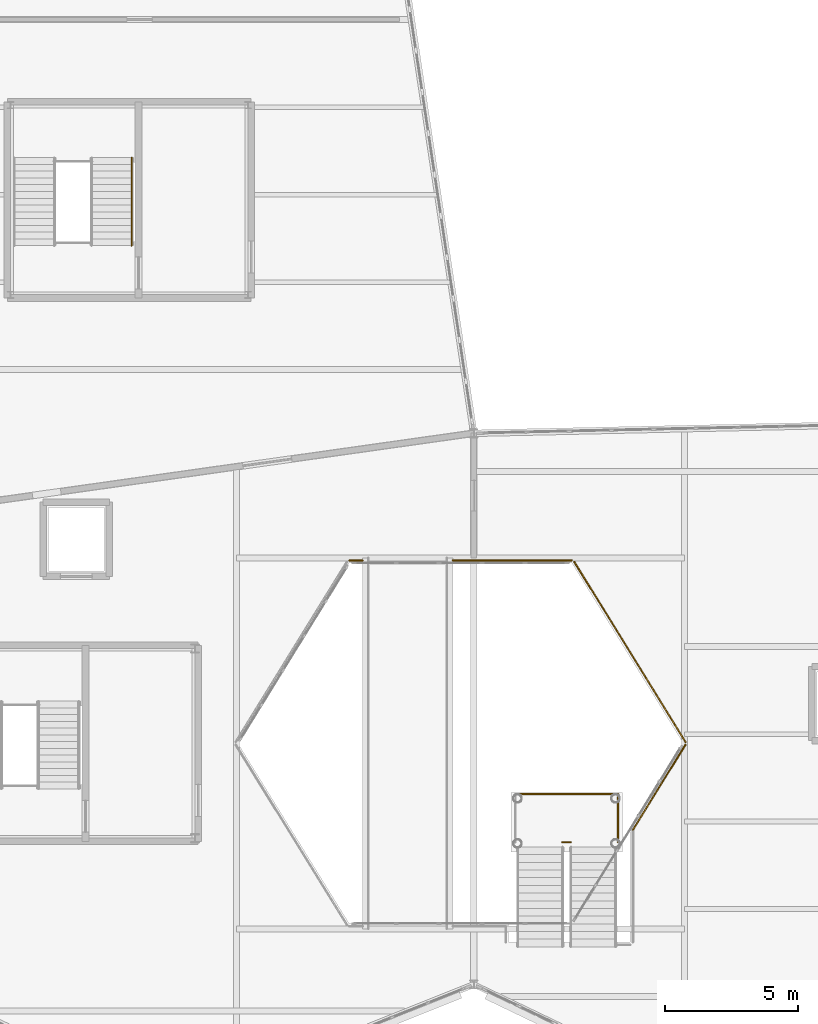
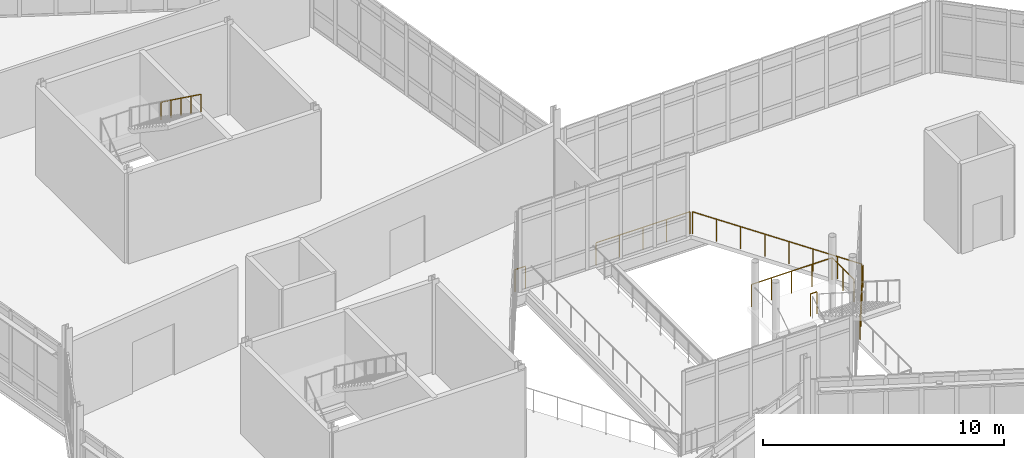
# One storey, part 110 of 114: 8 railings.
"""IFC4 building model written with IfcOpenShell, lengths in metres."""

from ifc_helpers import new_model, si_unit, direction, frame, origin, origin_2d, place, context, subcontext, project, spatial, circle, extrude, material, layer, layer_set, type_object, element, save


model = new_model("IFC4")

# Units and contexts
model_context = context("Model", 3, precision=1e-05, world=origin(), true_north=direction((0.0, 1.0)))
body_context = subcontext(model_context, "Body", "Model", "MODEL_VIEW")
ifc_project = project(units=[si_unit("LENGTHUNIT", "METRE"), si_unit("AREAUNIT", "SQUARE_METRE"), si_unit("VOLUMEUNIT", "CUBIC_METRE"), si_unit("PLANEANGLEUNIT", "RADIAN"), si_unit("MASSUNIT", "GRAM", prefix="KILO")], contexts=[model_context])

# Site, building, storey
site_placement = place(None, origin())
site = spatial("IfcSite", under=ifc_project, at=site_placement, CompositionType="ELEMENT")
building_placement = place(site_placement, origin())
building = spatial("IfcBuilding", under=site, at=building_placement, Name="Tameran Prism Museum", CompositionType="ELEMENT")
storey_placement = place(building_placement, frame((0.0, 0.0, 10.199951171875)))
storey = spatial("IfcBuildingStorey", under=building, at=storey_placement, Name="L02", CompositionType="ELEMENT", Elevation=10.199951171875)

# Railings
ifc_material_1 = material(Name="Laminated Glass and Stainless Steel 316", Category="steel")
ifc_layer_1 = layer(ifc_material_1, 0.06494140625)
ifc_layer_set_1 = layer_set([ifc_layer_1])
railing_type_1 = type_object("IfcRailingType", Name="RL-BAL-1150", PredefinedType="BALUSTRADE", material=ifc_layer_set_1)
railing_1_placement = place(storey_placement, frame((80.840087890625, 32.77001953125, 2.400146484375)))
element("IfcRailing", 1, at=railing_1_placement, inside=storey, type_object=railing_type_1, Name="Atrium Landing Slot Guard BL-127", PredefinedType="BALUSTRADE", context=body_context, shape_type="SweptSolid", body=[
    extrude(circle(Radius=0.02392578125, at=origin_2d()), frame((0.0, 0.0, 1.1259765625), z_axis=(1.0, 0.0, 0.0), x_axis=(0.0, 1.0, 0.0)), (0.0, 0.0, 1.0), 0.31982421875),
    extrude(circle(Radius=0.02099609375, at=origin_2d()), origin(), (0.0, 0.0, 1.0), 1.101806640625),
    extrude(circle(Radius=0.02099609375, at=origin_2d()), frame((0.31982421875, 0.0, 0.0)), (0.0, 0.0, 1.0), 1.101806640625),
])
railing_2_placement = place(storey_placement, frame((79.06005859375, 34.590087890625, 2.400146484375)))
element("IfcRailing", 2, at=railing_2_placement, inside=storey, type_object=railing_type_1, Name="Atrium Landing Perimeter Guard BL-129", PredefinedType="BALUSTRADE", context=body_context, shape_type="SweptSolid", body=[
    extrude(circle(Radius=0.02392578125, at=origin_2d()), frame((0.0, 0.0, 1.1259765625), z_axis=(1.0, 0.0, 0.0), x_axis=(0.0, 1.0, 0.0)), (0.0, 0.0, 1.0), 3.8798828125),
    extrude(circle(Radius=0.02099609375, at=origin_2d()), origin(), (0.0, 0.0, 1.0), 1.101806640625),
    extrude(circle(Radius=0.02099609375, at=origin_2d()), frame((0.969970703125, 0.0, 0.0)), (0.0, 0.0, 1.0), 1.101806640625),
    extrude(circle(Radius=0.02099609375, at=origin_2d()), frame((1.93994140625, 0.0, 0.0)), (0.0, 0.0, 1.0), 1.101806640625),
    extrude(circle(Radius=0.02099609375, at=origin_2d()), frame((2.909912109375, 0.0, 0.0)), (0.0, 0.0, 1.0), 1.101806640625),
    extrude(circle(Radius=0.02099609375, at=origin_2d()), frame((3.8798828125, 0.0, 0.0)), (0.0, 0.0, 1.0), 1.101806640625),
])
railing_3_placement = place(storey_placement, frame((82.93994140625, 34.590087890625, 2.400146484375)))
element("IfcRailing", 3, at=railing_3_placement, inside=storey, type_object=railing_type_1, Name="Atrium Landing Perimeter Guard BL-130", PredefinedType="BALUSTRADE", context=body_context, shape_type="SweptSolid", body=[
    extrude(circle(Radius=0.02392578125, at=origin_2d()), frame((0.0, 0.0, 1.1259765625), z_axis=(0.0, -1.0, 0.0), x_axis=(1.0, 0.0, 0.0)), (0.0, 0.0, 1.0), 1.820068359375),
    extrude(circle(Radius=0.02099609375, at=origin_2d()), origin(), (0.0, 0.0, 1.0), 1.101806640625),
    extrude(circle(Radius=0.02099609375, at=origin_2d()), frame((0.0, -0.91015625, 0.0)), (0.0, 0.0, 1.0), 1.101806640625),
    extrude(circle(Radius=0.02099609375, at=origin_2d()), frame((0.0, -1.820068359375, 0.0)), (0.0, 0.0, 1.0), 1.101806640625),
])
railing_4_placement = place(storey_placement, frame((72.800048828125, 43.39990234375, 0.0)))
element("IfcRailing", 4, at=railing_4_placement, inside=storey, type_object=railing_type_1, Name="Atrium Void Balustrade BL-A012", PredefinedType="BALUSTRADE", context=body_context, shape_type="SweptSolid", body=[
    extrude(circle(Radius=0.02392578125, at=origin_2d()), frame((0.0, 0.0, 1.1259765625), z_axis=(1.0, 0.0, 0.0), x_axis=(0.0, 1.0, 0.0)), (0.0, 0.0, 1.0), 0.5),
    extrude(circle(Radius=0.02099609375, at=origin_2d()), origin(), (0.0, 0.0, 1.0), 1.101806640625),
    extrude(circle(Radius=0.02099609375, at=origin_2d()), frame((0.5, 0.0, 0.0)), (0.0, 0.0, 1.0), 1.101806640625),
])
railing_5_placement = place(storey_placement, frame((76.699951171875, 43.39990234375, 0.0)))
element("IfcRailing", 5, at=railing_5_placement, inside=storey, type_object=railing_type_1, Name="Atrium Void Balustrade BL-A013", PredefinedType="BALUSTRADE", context=body_context, shape_type="SweptSolid", body=[
    extrude(circle(Radius=0.02392578125, at=origin_2d()), frame((0.0, 0.0, 1.1259765625), z_axis=(1.0, 0.0, 0.0), x_axis=(0.0, 1.0, 0.0)), (0.0, 0.0, 1.0), 4.5),
    extrude(circle(Radius=0.02099609375, at=origin_2d()), origin(), (0.0, 0.0, 1.0), 1.101806640625),
    extrude(circle(Radius=0.02099609375, at=origin_2d()), frame((1.125, 0.0, 0.0)), (0.0, 0.0, 1.0), 1.101806640625),
    extrude(circle(Radius=0.02099609375, at=origin_2d()), frame((2.25, 0.0, 0.0)), (0.0, 0.0, 1.0), 1.101806640625),
    extrude(circle(Radius=0.02099609375, at=origin_2d()), frame((3.375, 0.0, 0.0)), (0.0, 0.0, 1.0), 1.101806640625),
    extrude(circle(Radius=0.02099609375, at=origin_2d()), frame((4.5, 0.0, 0.0)), (0.0, 0.0, 1.0), 1.101806640625),
])
railing_6_placement = place(storey_placement, frame((81.284912109375, 43.35302734375, 0.0)))
element("IfcRailing", 6, at=railing_6_placement, inside=storey, type_object=railing_type_1, Name="Atrium Void Balustrade BL-A014", PredefinedType="BALUSTRADE", context=body_context, shape_type="SweptSolid", body=[
    extrude(circle(Radius=0.02392578125, at=origin_2d()), frame((0.0, 0.0, 1.1259765625), z_axis=(0.525507837885, -0.85078875893, 0.0), x_axis=(0.85078875893, 0.525507837885, 0.0)), (0.0, 0.0, 1.0), 7.99267578125),
    extrude(circle(Radius=0.02099609375, at=origin_2d()), origin(), (0.0, 0.0, 1.0), 1.101806640625),
    extrude(circle(Radius=0.02099609375, at=origin_2d()), frame((0.60009765625, -0.971435546875, 0.0)), (0.0, 0.0, 1.0), 1.101806640625),
    extrude(circle(Radius=0.02099609375, at=origin_2d()), frame((1.199951171875, -1.94287109375, 0.0)), (0.0, 0.0, 1.0), 1.101806640625),
    extrude(circle(Radius=0.02099609375, at=origin_2d()), frame((1.800048828125, -2.914306640625, 0.0)), (0.0, 0.0, 1.0), 1.101806640625),
    extrude(circle(Radius=0.02099609375, at=origin_2d()), frame((2.400146484375, -3.8857421875, 0.0)), (0.0, 0.0, 1.0), 1.101806640625),
    extrude(circle(Radius=0.02099609375, at=origin_2d()), frame((3.000244140625, -4.857177734375, 0.0)), (0.0, 0.0, 1.0), 1.101806640625),
    extrude(circle(Radius=0.02099609375, at=origin_2d()), frame((3.60009765625, -5.82861328125, 0.0)), (0.0, 0.0, 1.0), 1.101806640625),
    extrude(circle(Radius=0.02099609375, at=origin_2d()), frame((4.2001953125, -6.800048828125, 0.0)), (0.0, 0.0, 1.0), 1.101806640625),
])
railing_7_placement = place(storey_placement, frame((85.485107421875, 36.447021484375, 0.0)))
element("IfcRailing", 7, at=railing_7_placement, inside=storey, type_object=railing_type_1, Name="Atrium Void Balustrade BL-A015", PredefinedType="BALUSTRADE", context=body_context, shape_type="SweptSolid", body=[
    extrude(circle(Radius=0.02392578125, at=origin_2d()), frame((0.0, 0.0, 1.1259765625), z_axis=(-0.525593339274, -0.850735941236, 0.0), x_axis=(0.850735941236, -0.525593339274, 0.0)), (0.0, 0.0, 1.0), 3.77685546875),
    extrude(circle(Radius=0.02099609375, at=origin_2d()), origin(), (0.0, 0.0, 1.0), 1.101806640625),
    extrude(circle(Radius=0.02099609375, at=origin_2d()), frame((-0.496337890625, -0.80322265625, 0.0)), (0.0, 0.0, 1.0), 1.101806640625),
    extrude(circle(Radius=0.02099609375, at=origin_2d()), frame((-0.99267578125, -1.6064453125, 0.0)), (0.0, 0.0, 1.0), 1.101806640625),
    extrude(circle(Radius=0.02099609375, at=origin_2d()), frame((-1.48876953125, -2.409912109375, 0.0)), (0.0, 0.0, 1.0), 1.101806640625),
    extrude(circle(Radius=0.02099609375, at=origin_2d()), frame((-1.985107421875, -3.213134765625, 0.0)), (0.0, 0.0, 1.0), 1.101806640625),
])
ifc_material_2 = material(Name="Brushed Stainless Steel 316", Category="steel")
ifc_layer_2 = layer(ifc_material_2, 0.048095703125)
ifc_layer_set_2 = layer_set([ifc_layer_2])
railing_type_2 = type_object("IfcRailingType", Name="RL-HR-920", PredefinedType="HANDRAIL", material=ifc_layer_set_2)
railing_8_placement = place(storey_placement, frame((64.590087890625, 58.594970703125, 2.400146484375)))
element("IfcRailing", 8, at=railing_8_placement, inside=storey, type_object=railing_type_2, Name="Stair Flight Handrail HR-060", PredefinedType="HANDRAIL", context=body_context, shape_type="SweptSolid", body=[
    extrude(circle(Radius=0.02392578125, at=origin_2d()), frame((0.0, 0.0, 0.89599609375), z_axis=(0.0, -0.810008566192, 0.586418044312), x_axis=(1.0, 0.0, 0.0)), (0.0, 0.0, 1.0), 4.092529296875),
    extrude(circle(Radius=0.02099609375, at=origin_2d()), origin(), (0.0, 0.0, 1.0), 0.871826171875),
    extrude(circle(Radius=0.02099609375, at=origin_2d()), frame((0.0, -0.82861328125, 0.60009765625)), (0.0, 0.0, 1.0), 0.871826171875),
    extrude(circle(Radius=0.02099609375, at=origin_2d()), frame((0.0, -1.657470703125, 1.199951171875)), (0.0, 0.0, 1.0), 0.871826171875),
    extrude(circle(Radius=0.02099609375, at=origin_2d()), frame((0.0, -2.486328125, 1.7998046875)), (0.0, 0.0, 1.0), 0.871826171875),
    extrude(circle(Radius=0.02099609375, at=origin_2d()), frame((0.0, -3.31494140625, 2.39990234375)), (0.0, 0.0, 1.0), 0.871826171875),
])

save(model, "model.ifc")
